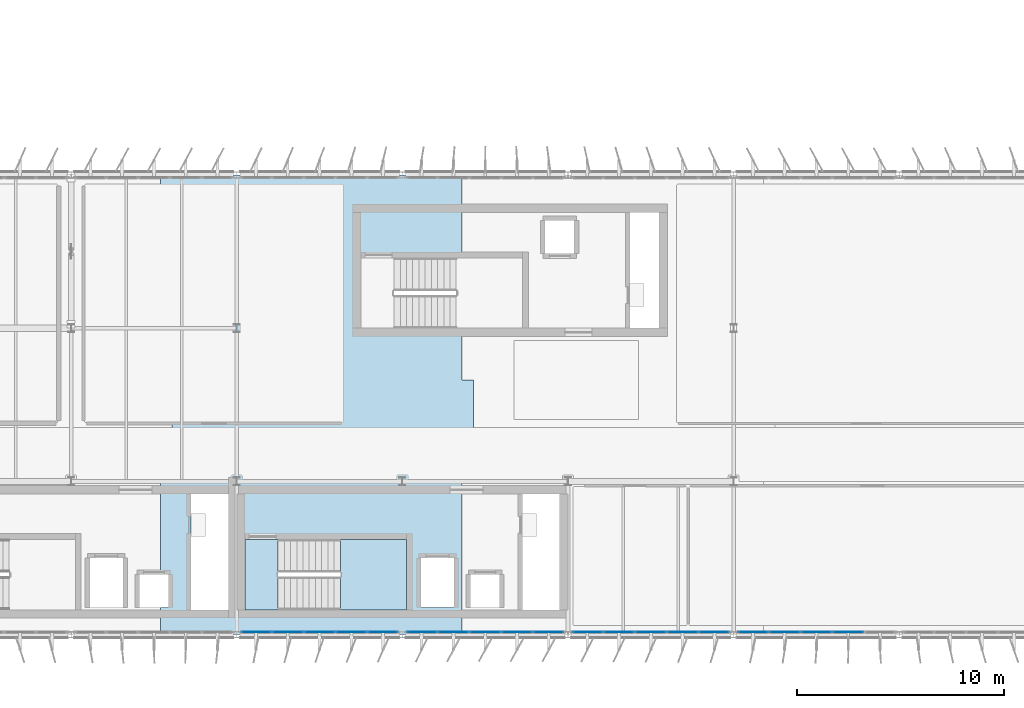
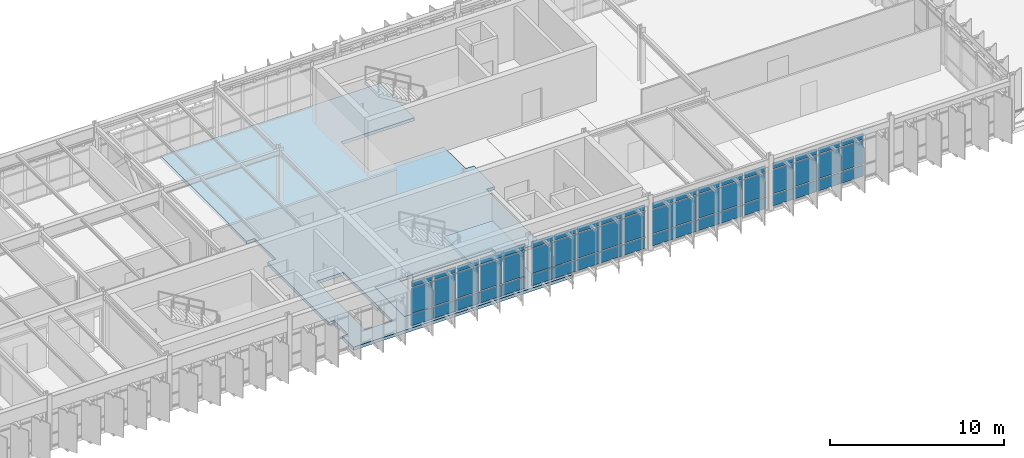
# One storey, part 21 of 35: 57 plates, 3 slabs, 5 elements without a shape of their own.
"""IFC4 building model written with IfcOpenShell, lengths in metres."""

from ifc_helpers import new_model, si_unit, direction, frame, origin, origin_2d, place, context, subcontext, project, spatial, polyline, rectangle, outline, extrude, material, layer, layer_set, type_object, element, aggregate, save


model = new_model("IFC4")

# Units and contexts
model_context = context("Model", 3, precision=1e-05, world=origin(), true_north=direction((0.0, 1.0)))
body_context = subcontext(model_context, "Body", "Model", "MODEL_VIEW")
ifc_project = project(units=[si_unit("LENGTHUNIT", "METRE"), si_unit("AREAUNIT", "SQUARE_METRE"), si_unit("VOLUMEUNIT", "CUBIC_METRE"), si_unit("PLANEANGLEUNIT", "RADIAN"), si_unit("MASSUNIT", "GRAM", prefix="KILO")], contexts=[model_context])

# Site, building, storey
site_placement = place(None, origin())
site = spatial("IfcSite", under=ifc_project, at=site_placement, CompositionType="ELEMENT")
building_placement = place(site_placement, origin())
building = spatial("IfcBuilding", under=site, at=building_placement, Name="Valkorina Park Police Headquarters", CompositionType="ELEMENT")
storey_placement = place(building_placement, frame((0.0, 0.0, 27.199951171875)))
storey = spatial("IfcBuildingStorey", under=building, at=storey_placement, Name="L07", CompositionType="ELEMENT", Elevation=27.199951171875)

# Curtain wall, plates
ifc_material_1 = material(Name="Thermally broken aluminium AW-6060", Category="aluminium")
ifc_layer_1 = layer(ifc_material_1, 0.18994140625)
ifc_layer_set_1 = layer_set([ifc_layer_1], Name="Thermally broken aluminium AW-6060")
curtain_wall_type_1 = type_object("IfcCurtainWallType", Name="CW-V5-7680x3160", PredefinedType="NOTDEFINED", material=ifc_layer_set_1)
curtain_wall_1_placement = place(storey_placement, origin())
curtain_wall_1 = element("IfcCurtainWall", 1, at=curtain_wall_1_placement, inside=storey, type_object=curtain_wall_type_1, Name="L07 Unitised Curtain Wall 134", PredefinedType="NOTDEFINED")
ifc_layer_2 = layer(ifc_material_1, 0.050048828125)
ifc_layer_set_2 = layer_set([ifc_layer_2], Name="Thermally broken aluminium AW-6060")
plate_type_1 = type_object("IfcPlateType", Name="PL-CWP-SPANDREL-50", PredefinedType="CURTAIN_PANEL", material=ifc_layer_set_2)
plate_1_placement = place(storey_placement, frame((62.3359375, 37.1201171875, 0.070068359375), z_axis=(0.0, 0.0, 1.0), x_axis=(-1.0, 0.0, 0.0)))
plate_1 = element("IfcPlate", 2, at=plate_1_placement, type_object=plate_type_1, Name="CW-V5-768-316 panel 2.1", PredefinedType="CURTAIN_PANEL", context=body_context, shape_type="SweptSolid", body=[
    extrude(rectangle(XDim=1.466064453125, YDim=0.028076171875, at=origin_2d()), origin(), (0.0, 0.0, 1.0), 0.794921875),
])
plate_2_placement = place(storey_placement, frame((60.800048828125, 37.1201171875, 0.070068359375), z_axis=(0.0, 0.0, 1.0), x_axis=(-1.0, 0.0, 0.0)))
plate_2 = element("IfcPlate", 3, at=plate_2_placement, type_object=plate_type_1, Name="CW-V5-768-316 panel 3.1", PredefinedType="CURTAIN_PANEL", context=body_context, shape_type="SweptSolid", body=[
    extrude(rectangle(XDim=1.466064453125, YDim=0.028076171875, at=origin_2d()), origin(), (0.0, 0.0, 1.0), 0.794921875),
])
plate_3_placement = place(storey_placement, frame((59.263916015625, 37.1201171875, 0.070068359375), z_axis=(0.0, 0.0, 1.0), x_axis=(-1.0, 0.0, 0.0)))
plate_3 = element("IfcPlate", 4, at=plate_3_placement, type_object=plate_type_1, Name="CW-V5-768-316 panel 4.1", PredefinedType="CURTAIN_PANEL", context=body_context, shape_type="SweptSolid", body=[
    extrude(rectangle(XDim=1.466064453125, YDim=0.028076171875, at=origin_2d()), origin(), (0.0, 0.0, 1.0), 0.794921875),
])
plate_4_placement = place(storey_placement, frame((57.74560546875, 37.1201171875, 0.070068359375), z_axis=(0.0, 0.0, 1.0), x_axis=(-1.0, 0.0, 0.0)))
plate_4 = element("IfcPlate", 5, at=plate_4_placement, type_object=plate_type_1, Name="CW-V5-768-316 panel 5.1", PredefinedType="CURTAIN_PANEL", context=body_context, shape_type="SweptSolid", body=[
    extrude(rectangle(XDim=1.430908203125, YDim=0.028076171875, at=origin_2d()), origin(), (0.0, 0.0, 1.0), 0.794921875),
])

curtain_wall_2_placement = place(storey_placement, origin())
curtain_wall_2 = element("IfcCurtainWall", 6, at=curtain_wall_2_placement, inside=storey, type_object=curtain_wall_type_1, Name="L07 Unitised Curtain Wall 135", PredefinedType="NOTDEFINED")
plate_5_placement = place(storey_placement, frame((55.8544921875, 37.1201171875, 0.070068359375), z_axis=(0.0, 0.0, 1.0), x_axis=(-1.0, 0.0, 0.0)))
plate_5 = element("IfcPlate", 7, at=plate_5_placement, type_object=plate_type_1, Name="CW-V5-768-316 panel 1.1", PredefinedType="CURTAIN_PANEL", context=body_context, shape_type="SweptSolid", body=[
    extrude(rectangle(XDim=1.430908203125, YDim=0.028076171875, at=origin_2d()), origin(), (0.0, 0.0, 1.0), 0.794921875),
])
plate_6_placement = place(storey_placement, frame((54.3359375, 37.1201171875, 0.070068359375), z_axis=(0.0, 0.0, 1.0), x_axis=(-1.0, 0.0, 0.0)))
plate_6 = element("IfcPlate", 8, at=plate_6_placement, type_object=plate_type_1, Name="CW-V5-768-316 panel 2.1", PredefinedType="CURTAIN_PANEL", context=body_context, shape_type="SweptSolid", body=[
    extrude(rectangle(XDim=1.466064453125, YDim=0.028076171875, at=origin_2d()), origin(), (0.0, 0.0, 1.0), 0.794921875),
])
plate_7_placement = place(storey_placement, frame((52.800048828125, 37.1201171875, 0.070068359375), z_axis=(0.0, 0.0, 1.0), x_axis=(-1.0, 0.0, 0.0)))
plate_7 = element("IfcPlate", 9, at=plate_7_placement, type_object=plate_type_1, Name="CW-V5-768-316 panel 3.1", PredefinedType="CURTAIN_PANEL", context=body_context, shape_type="SweptSolid", body=[
    extrude(rectangle(XDim=1.466064453125, YDim=0.028076171875, at=origin_2d()), origin(), (0.0, 0.0, 1.0), 0.794921875),
])
plate_8_placement = place(storey_placement, frame((51.263916015625, 37.1201171875, 0.070068359375), z_axis=(0.0, 0.0, 1.0), x_axis=(-1.0, 0.0, 0.0)))
plate_8 = element("IfcPlate", 10, at=plate_8_placement, type_object=plate_type_1, Name="CW-V5-768-316 panel 4.1", PredefinedType="CURTAIN_PANEL", context=body_context, shape_type="SweptSolid", body=[
    extrude(rectangle(XDim=1.466064453125, YDim=0.028076171875, at=origin_2d()), origin(), (0.0, 0.0, 1.0), 0.794921875),
])
plate_9_placement = place(storey_placement, frame((49.74560546875, 37.1201171875, 0.070068359375), z_axis=(0.0, 0.0, 1.0), x_axis=(-1.0, 0.0, 0.0)))
plate_9 = element("IfcPlate", 11, at=plate_9_placement, type_object=plate_type_1, Name="CW-V5-768-316 panel 5.1", PredefinedType="CURTAIN_PANEL", context=body_context, shape_type="SweptSolid", body=[
    extrude(rectangle(XDim=1.430908203125, YDim=0.028076171875, at=origin_2d()), origin(), (0.0, 0.0, 1.0), 0.794921875),
])

ifc_layer_3 = layer(ifc_material_1, 0.18994140625)
ifc_layer_set_3 = layer_set([ifc_layer_3], Name="Thermally broken aluminium AW-6060")
curtain_wall_type_2 = type_object("IfcCurtainWallType", Name="CW-V5-7680x3230", PredefinedType="NOTDEFINED", material=ifc_layer_set_3)
curtain_wall_3_placement = place(storey_placement, origin())
curtain_wall_3 = element("IfcCurtainWall", 12, at=curtain_wall_3_placement, inside=storey, type_object=curtain_wall_type_2, Name="L07 Unitised Curtain Wall 136", PredefinedType="NOTDEFINED")
plate_10_placement = place(storey_placement, frame((47.8544921875, 37.1201171875, 0.070068359375), z_axis=(0.0, 0.0, 1.0), x_axis=(-1.0, 0.0, 0.0)))
plate_10 = element("IfcPlate", 13, at=plate_10_placement, type_object=plate_type_1, Name="CW-V5-768-323 panel 1.1", PredefinedType="CURTAIN_PANEL", context=body_context, shape_type="SweptSolid", body=[
    extrude(rectangle(XDim=1.430908203125, YDim=0.028076171875, at=origin_2d()), origin(), (0.0, 0.0, 1.0), 0.794921875),
])
plate_11_placement = place(storey_placement, frame((46.3359375, 37.1201171875, 0.070068359375), z_axis=(0.0, 0.0, 1.0), x_axis=(-1.0, 0.0, 0.0)))
plate_11 = element("IfcPlate", 14, at=plate_11_placement, type_object=plate_type_1, Name="CW-V5-768-323 panel 2.1", PredefinedType="CURTAIN_PANEL", context=body_context, shape_type="SweptSolid", body=[
    extrude(rectangle(XDim=1.466064453125, YDim=0.028076171875, at=origin_2d()), origin(), (0.0, 0.0, 1.0), 0.794921875),
])
plate_12_placement = place(storey_placement, frame((44.800048828125, 37.1201171875, 0.070068359375), z_axis=(0.0, 0.0, 1.0), x_axis=(-1.0, 0.0, 0.0)))
plate_12 = element("IfcPlate", 15, at=plate_12_placement, type_object=plate_type_1, Name="CW-V5-768-323 panel 3.1", PredefinedType="CURTAIN_PANEL", context=body_context, shape_type="SweptSolid", body=[
    extrude(rectangle(XDim=1.466064453125, YDim=0.028076171875, at=origin_2d()), origin(), (0.0, 0.0, 1.0), 0.794921875),
])
plate_13_placement = place(storey_placement, frame((43.263916015625, 37.1201171875, 0.070068359375), z_axis=(0.0, 0.0, 1.0), x_axis=(-1.0, 0.0, 0.0)))
plate_13 = element("IfcPlate", 16, at=plate_13_placement, type_object=plate_type_1, Name="CW-V5-768-323 panel 4.1", PredefinedType="CURTAIN_PANEL", context=body_context, shape_type="SweptSolid", body=[
    extrude(rectangle(XDim=1.466064453125, YDim=0.028076171875, at=origin_2d()), origin(), (0.0, 0.0, 1.0), 0.794921875),
])
plate_14_placement = place(storey_placement, frame((41.74560546875, 37.1201171875, 0.070068359375), z_axis=(0.0, 0.0, 1.0), x_axis=(-1.0, 0.0, 0.0)))
plate_14 = element("IfcPlate", 17, at=plate_14_placement, type_object=plate_type_1, Name="CW-V5-768-323 panel 5.1", PredefinedType="CURTAIN_PANEL", context=body_context, shape_type="SweptSolid", body=[
    extrude(rectangle(XDim=1.430908203125, YDim=0.028076171875, at=origin_2d()), origin(), (0.0, 0.0, 1.0), 0.794921875),
])

ifc_layer_4 = layer(ifc_material_1, 0.18994140625)
ifc_layer_set_4 = layer_set([ifc_layer_4], Name="Thermally broken aluminium AW-6060")
curtain_wall_type_3 = type_object("IfcCurtainWallType", Name="CW-V5-7680x3270", PredefinedType="NOTDEFINED", material=ifc_layer_set_4)
curtain_wall_4_placement = place(storey_placement, origin())
curtain_wall_4 = element("IfcCurtainWall", 18, at=curtain_wall_4_placement, inside=storey, type_object=curtain_wall_type_3, Name="L07 Unitised Curtain Wall 137", PredefinedType="NOTDEFINED")
plate_15_placement = place(storey_placement, frame((39.8544921875, 37.1201171875, 0.070068359375), z_axis=(0.0, 0.0, 1.0), x_axis=(-1.0, 0.0, 0.0)))
plate_15 = element("IfcPlate", 19, at=plate_15_placement, type_object=plate_type_1, Name="CW-V5-768-327 panel 1.1", PredefinedType="CURTAIN_PANEL", context=body_context, shape_type="SweptSolid", body=[
    extrude(rectangle(XDim=1.430908203125, YDim=0.028076171875, at=origin_2d()), origin(), (0.0, 0.0, 1.0), 0.794921875),
])
plate_16_placement = place(storey_placement, frame((38.3359375, 37.1201171875, 0.070068359375), z_axis=(0.0, 0.0, 1.0), x_axis=(-1.0, 0.0, 0.0)))
plate_16 = element("IfcPlate", 20, at=plate_16_placement, type_object=plate_type_1, Name="CW-V5-768-327 panel 2.1", PredefinedType="CURTAIN_PANEL", context=body_context, shape_type="SweptSolid", body=[
    extrude(rectangle(XDim=1.466064453125, YDim=0.028076171875, at=origin_2d()), origin(), (0.0, 0.0, 1.0), 0.794921875),
])
plate_17_placement = place(storey_placement, frame((36.800048828125, 37.1201171875, 0.070068359375), z_axis=(0.0, 0.0, 1.0), x_axis=(-1.0, 0.0, 0.0)))
plate_17 = element("IfcPlate", 21, at=plate_17_placement, type_object=plate_type_1, Name="CW-V5-768-327 panel 3.1", PredefinedType="CURTAIN_PANEL", context=body_context, shape_type="SweptSolid", body=[
    extrude(rectangle(XDim=1.466064453125, YDim=0.028076171875, at=origin_2d()), origin(), (0.0, 0.0, 1.0), 0.794921875),
])
plate_18_placement = place(storey_placement, frame((35.263916015625, 37.1201171875, 0.070068359375), z_axis=(0.0, 0.0, 1.0), x_axis=(-1.0, 0.0, 0.0)))
plate_18 = element("IfcPlate", 22, at=plate_18_placement, type_object=plate_type_1, Name="CW-V5-768-327 panel 4.1", PredefinedType="CURTAIN_PANEL", context=body_context, shape_type="SweptSolid", body=[
    extrude(rectangle(XDim=1.466064453125, YDim=0.028076171875, at=origin_2d()), origin(), (0.0, 0.0, 1.0), 0.794921875),
])
plate_19_placement = place(storey_placement, frame((33.74560546875, 37.1201171875, 0.070068359375), z_axis=(0.0, 0.0, 1.0), x_axis=(-1.0, 0.0, 0.0)))
plate_19 = element("IfcPlate", 23, at=plate_19_placement, type_object=plate_type_1, Name="CW-V5-768-327 panel 5.1", PredefinedType="CURTAIN_PANEL", context=body_context, shape_type="SweptSolid", body=[
    extrude(rectangle(XDim=1.430908203125, YDim=0.028076171875, at=origin_2d()), origin(), (0.0, 0.0, 1.0), 0.794921875),
])

# Plate
ifc_material_2 = material(Name="Triple low-E insulated glazing", Category="glass")
ifc_layer_5 = layer(ifc_material_2, 0.028076171875)
ifc_layer_set_5 = layer_set([ifc_layer_5], Name="Triple low-E insulated glazing")
plate_type_2 = type_object("IfcPlateType", Name="PL-CWP-VISION-28", PredefinedType="CURTAIN_PANEL", material=ifc_layer_set_5)
plate_20_placement = place(storey_placement, frame((62.3359375, 37.1201171875, 0.93505859375), z_axis=(0.0, 0.0, 1.0), x_axis=(-1.0, 0.0, 0.0)))
plate_20 = element("IfcPlate", 24, at=plate_20_placement, type_object=plate_type_2, Name="CW-V5-768-316 panel 2.2", PredefinedType="CURTAIN_PANEL", context=body_context, shape_type="SweptSolid", body=[
    extrude(rectangle(XDim=1.466064453125, YDim=0.028076171875, at=origin_2d()), origin(), (0.0, 0.0, 1.0), 1.669921875),
])

plate_21_placement = place(storey_placement, frame((62.3359375, 37.1201171875, 2.675048828125), z_axis=(0.0, 0.0, 1.0), x_axis=(-1.0, 0.0, 0.0)))
plate_21 = element("IfcPlate", 25, at=plate_21_placement, type_object=plate_type_2, Name="CW-V5-768-316 panel 2.3", PredefinedType="CURTAIN_PANEL", context=body_context, shape_type="SweptSolid", body=[
    extrude(rectangle(XDim=1.466064453125, YDim=0.028076171875, at=origin_2d()), origin(), (0.0, 0.0, 1.0), 0.4150390625),
])

plate_22_placement = place(storey_placement, frame((60.800048828125, 37.1201171875, 0.93505859375), z_axis=(0.0, 0.0, 1.0), x_axis=(-1.0, 0.0, 0.0)))
plate_22 = element("IfcPlate", 26, at=plate_22_placement, type_object=plate_type_2, Name="CW-V5-768-316 panel 3.2", PredefinedType="CURTAIN_PANEL", context=body_context, shape_type="SweptSolid", body=[
    extrude(rectangle(XDim=1.466064453125, YDim=0.028076171875, at=origin_2d()), origin(), (0.0, 0.0, 1.0), 1.669921875),
])

plate_23_placement = place(storey_placement, frame((60.800048828125, 37.1201171875, 2.675048828125), z_axis=(0.0, 0.0, 1.0), x_axis=(-1.0, 0.0, 0.0)))
plate_23 = element("IfcPlate", 27, at=plate_23_placement, type_object=plate_type_2, Name="CW-V5-768-316 panel 3.3", PredefinedType="CURTAIN_PANEL", context=body_context, shape_type="SweptSolid", body=[
    extrude(rectangle(XDim=1.466064453125, YDim=0.028076171875, at=origin_2d()), origin(), (0.0, 0.0, 1.0), 0.4150390625),
])

plate_24_placement = place(storey_placement, frame((59.263916015625, 37.1201171875, 0.93505859375), z_axis=(0.0, 0.0, 1.0), x_axis=(-1.0, 0.0, 0.0)))
plate_24 = element("IfcPlate", 28, at=plate_24_placement, type_object=plate_type_2, Name="CW-V5-768-316 panel 4.2", PredefinedType="CURTAIN_PANEL", context=body_context, shape_type="SweptSolid", body=[
    extrude(rectangle(XDim=1.466064453125, YDim=0.028076171875, at=origin_2d()), origin(), (0.0, 0.0, 1.0), 1.669921875),
])

plate_25_placement = place(storey_placement, frame((59.263916015625, 37.1201171875, 2.675048828125), z_axis=(0.0, 0.0, 1.0), x_axis=(-1.0, 0.0, 0.0)))
plate_25 = element("IfcPlate", 29, at=plate_25_placement, type_object=plate_type_2, Name="CW-V5-768-316 panel 4.3", PredefinedType="CURTAIN_PANEL", context=body_context, shape_type="SweptSolid", body=[
    extrude(rectangle(XDim=1.466064453125, YDim=0.028076171875, at=origin_2d()), origin(), (0.0, 0.0, 1.0), 0.4150390625),
])

plate_26_placement = place(storey_placement, frame((57.74560546875, 37.1201171875, 0.93505859375), z_axis=(0.0, 0.0, 1.0), x_axis=(-1.0, 0.0, 0.0)))
plate_26 = element("IfcPlate", 30, at=plate_26_placement, type_object=plate_type_2, Name="CW-V5-768-316 panel 5.2", PredefinedType="CURTAIN_PANEL", context=body_context, shape_type="SweptSolid", body=[
    extrude(rectangle(XDim=1.430908203125, YDim=0.028076171875, at=origin_2d()), origin(), (0.0, 0.0, 1.0), 1.669921875),
])

plate_27_placement = place(storey_placement, frame((57.74560546875, 37.1201171875, 2.675048828125), z_axis=(0.0, 0.0, 1.0), x_axis=(-1.0, 0.0, 0.0)))
plate_27 = element("IfcPlate", 31, at=plate_27_placement, type_object=plate_type_2, Name="CW-V5-768-316 panel 5.3", PredefinedType="CURTAIN_PANEL", context=body_context, shape_type="SweptSolid", body=[
    extrude(rectangle(XDim=1.430908203125, YDim=0.028076171875, at=origin_2d()), origin(), (0.0, 0.0, 1.0), 0.4150390625),
])

aggregate(curtain_wall_1, [plate_1, plate_20, plate_21, plate_2, plate_22, plate_23, plate_3, plate_24, plate_25, plate_4, plate_26, plate_27])

plate_28_placement = place(storey_placement, frame((55.8544921875, 37.1201171875, 0.93505859375), z_axis=(0.0, 0.0, 1.0), x_axis=(-1.0, 0.0, 0.0)))
plate_28 = element("IfcPlate", 32, at=plate_28_placement, type_object=plate_type_2, Name="CW-V5-768-316 panel 1.2", PredefinedType="CURTAIN_PANEL", context=body_context, shape_type="SweptSolid", body=[
    extrude(rectangle(XDim=1.430908203125, YDim=0.028076171875, at=origin_2d()), origin(), (0.0, 0.0, 1.0), 1.669921875),
])

plate_29_placement = place(storey_placement, frame((55.8544921875, 37.1201171875, 2.675048828125), z_axis=(0.0, 0.0, 1.0), x_axis=(-1.0, 0.0, 0.0)))
plate_29 = element("IfcPlate", 33, at=plate_29_placement, type_object=plate_type_2, Name="CW-V5-768-316 panel 1.3", PredefinedType="CURTAIN_PANEL", context=body_context, shape_type="SweptSolid", body=[
    extrude(rectangle(XDim=1.430908203125, YDim=0.028076171875, at=origin_2d()), origin(), (0.0, 0.0, 1.0), 0.4150390625),
])

plate_30_placement = place(storey_placement, frame((54.3359375, 37.1201171875, 0.93505859375), z_axis=(0.0, 0.0, 1.0), x_axis=(-1.0, 0.0, 0.0)))
plate_30 = element("IfcPlate", 34, at=plate_30_placement, type_object=plate_type_2, Name="CW-V5-768-316 panel 2.2", PredefinedType="CURTAIN_PANEL", context=body_context, shape_type="SweptSolid", body=[
    extrude(rectangle(XDim=1.466064453125, YDim=0.028076171875, at=origin_2d()), origin(), (0.0, 0.0, 1.0), 1.669921875),
])

plate_31_placement = place(storey_placement, frame((54.3359375, 37.1201171875, 2.675048828125), z_axis=(0.0, 0.0, 1.0), x_axis=(-1.0, 0.0, 0.0)))
plate_31 = element("IfcPlate", 35, at=plate_31_placement, type_object=plate_type_2, Name="CW-V5-768-316 panel 2.3", PredefinedType="CURTAIN_PANEL", context=body_context, shape_type="SweptSolid", body=[
    extrude(rectangle(XDim=1.466064453125, YDim=0.028076171875, at=origin_2d()), origin(), (0.0, 0.0, 1.0), 0.4150390625),
])

plate_32_placement = place(storey_placement, frame((52.800048828125, 37.1201171875, 0.93505859375), z_axis=(0.0, 0.0, 1.0), x_axis=(-1.0, 0.0, 0.0)))
plate_32 = element("IfcPlate", 36, at=plate_32_placement, type_object=plate_type_2, Name="CW-V5-768-316 panel 3.2", PredefinedType="CURTAIN_PANEL", context=body_context, shape_type="SweptSolid", body=[
    extrude(rectangle(XDim=1.466064453125, YDim=0.028076171875, at=origin_2d()), origin(), (0.0, 0.0, 1.0), 1.669921875),
])

plate_33_placement = place(storey_placement, frame((52.800048828125, 37.1201171875, 2.675048828125), z_axis=(0.0, 0.0, 1.0), x_axis=(-1.0, 0.0, 0.0)))
plate_33 = element("IfcPlate", 37, at=plate_33_placement, type_object=plate_type_2, Name="CW-V5-768-316 panel 3.3", PredefinedType="CURTAIN_PANEL", context=body_context, shape_type="SweptSolid", body=[
    extrude(rectangle(XDim=1.466064453125, YDim=0.028076171875, at=origin_2d()), origin(), (0.0, 0.0, 1.0), 0.4150390625),
])

plate_34_placement = place(storey_placement, frame((51.263916015625, 37.1201171875, 0.93505859375), z_axis=(0.0, 0.0, 1.0), x_axis=(-1.0, 0.0, 0.0)))
plate_34 = element("IfcPlate", 38, at=plate_34_placement, type_object=plate_type_2, Name="CW-V5-768-316 panel 4.2", PredefinedType="CURTAIN_PANEL", context=body_context, shape_type="SweptSolid", body=[
    extrude(rectangle(XDim=1.466064453125, YDim=0.028076171875, at=origin_2d()), origin(), (0.0, 0.0, 1.0), 1.669921875),
])

plate_35_placement = place(storey_placement, frame((51.263916015625, 37.1201171875, 2.675048828125), z_axis=(0.0, 0.0, 1.0), x_axis=(-1.0, 0.0, 0.0)))
plate_35 = element("IfcPlate", 39, at=plate_35_placement, type_object=plate_type_2, Name="CW-V5-768-316 panel 4.3", PredefinedType="CURTAIN_PANEL", context=body_context, shape_type="SweptSolid", body=[
    extrude(rectangle(XDim=1.466064453125, YDim=0.028076171875, at=origin_2d()), origin(), (0.0, 0.0, 1.0), 0.4150390625),
])

plate_36_placement = place(storey_placement, frame((49.74560546875, 37.1201171875, 0.93505859375), z_axis=(0.0, 0.0, 1.0), x_axis=(-1.0, 0.0, 0.0)))
plate_36 = element("IfcPlate", 40, at=plate_36_placement, type_object=plate_type_2, Name="CW-V5-768-316 panel 5.2", PredefinedType="CURTAIN_PANEL", context=body_context, shape_type="SweptSolid", body=[
    extrude(rectangle(XDim=1.430908203125, YDim=0.028076171875, at=origin_2d()), origin(), (0.0, 0.0, 1.0), 1.669921875),
])

plate_37_placement = place(storey_placement, frame((49.74560546875, 37.1201171875, 2.675048828125), z_axis=(0.0, 0.0, 1.0), x_axis=(-1.0, 0.0, 0.0)))
plate_37 = element("IfcPlate", 41, at=plate_37_placement, type_object=plate_type_2, Name="CW-V5-768-316 panel 5.3", PredefinedType="CURTAIN_PANEL", context=body_context, shape_type="SweptSolid", body=[
    extrude(rectangle(XDim=1.430908203125, YDim=0.028076171875, at=origin_2d()), origin(), (0.0, 0.0, 1.0), 0.4150390625),
])

aggregate(curtain_wall_2, [plate_5, plate_28, plate_29, plate_6, plate_30, plate_31, plate_7, plate_32, plate_33, plate_8, plate_34, plate_35, plate_9, plate_36, plate_37])

plate_38_placement = place(storey_placement, frame((47.8544921875, 37.1201171875, 0.93505859375), z_axis=(0.0, 0.0, 1.0), x_axis=(-1.0, 0.0, 0.0)))
plate_38 = element("IfcPlate", 42, at=plate_38_placement, type_object=plate_type_2, Name="CW-V5-768-323 panel 1.2", PredefinedType="CURTAIN_PANEL", context=body_context, shape_type="SweptSolid", body=[
    extrude(rectangle(XDim=1.430908203125, YDim=0.028076171875, at=origin_2d()), origin(), (0.0, 0.0, 1.0), 1.739990234375),
])

plate_39_placement = place(storey_placement, frame((47.8544921875, 37.1201171875, 2.7451171875), z_axis=(0.0, 0.0, 1.0), x_axis=(-1.0, 0.0, 0.0)))
plate_39 = element("IfcPlate", 43, at=plate_39_placement, type_object=plate_type_2, Name="CW-V5-768-323 panel 1.3", PredefinedType="CURTAIN_PANEL", context=body_context, shape_type="SweptSolid", body=[
    extrude(rectangle(XDim=1.430908203125, YDim=0.028076171875, at=origin_2d()), origin(), (0.0, 0.0, 1.0), 0.4150390625),
])

plate_40_placement = place(storey_placement, frame((46.3359375, 37.1201171875, 0.93505859375), z_axis=(0.0, 0.0, 1.0), x_axis=(-1.0, 0.0, 0.0)))
plate_40 = element("IfcPlate", 44, at=plate_40_placement, type_object=plate_type_2, Name="CW-V5-768-323 panel 2.2", PredefinedType="CURTAIN_PANEL", context=body_context, shape_type="SweptSolid", body=[
    extrude(rectangle(XDim=1.466064453125, YDim=0.028076171875, at=origin_2d()), origin(), (0.0, 0.0, 1.0), 1.739990234375),
])

plate_41_placement = place(storey_placement, frame((46.3359375, 37.1201171875, 2.7451171875), z_axis=(0.0, 0.0, 1.0), x_axis=(-1.0, 0.0, 0.0)))
plate_41 = element("IfcPlate", 45, at=plate_41_placement, type_object=plate_type_2, Name="CW-V5-768-323 panel 2.3", PredefinedType="CURTAIN_PANEL", context=body_context, shape_type="SweptSolid", body=[
    extrude(rectangle(XDim=1.466064453125, YDim=0.028076171875, at=origin_2d()), origin(), (0.0, 0.0, 1.0), 0.4150390625),
])

plate_42_placement = place(storey_placement, frame((44.800048828125, 37.1201171875, 0.93505859375), z_axis=(0.0, 0.0, 1.0), x_axis=(-1.0, 0.0, 0.0)))
plate_42 = element("IfcPlate", 46, at=plate_42_placement, type_object=plate_type_2, Name="CW-V5-768-323 panel 3.2", PredefinedType="CURTAIN_PANEL", context=body_context, shape_type="SweptSolid", body=[
    extrude(rectangle(XDim=1.466064453125, YDim=0.028076171875, at=origin_2d()), origin(), (0.0, 0.0, 1.0), 1.739990234375),
])

plate_43_placement = place(storey_placement, frame((44.800048828125, 37.1201171875, 2.7451171875), z_axis=(0.0, 0.0, 1.0), x_axis=(-1.0, 0.0, 0.0)))
plate_43 = element("IfcPlate", 47, at=plate_43_placement, type_object=plate_type_2, Name="CW-V5-768-323 panel 3.3", PredefinedType="CURTAIN_PANEL", context=body_context, shape_type="SweptSolid", body=[
    extrude(rectangle(XDim=1.466064453125, YDim=0.028076171875, at=origin_2d()), origin(), (0.0, 0.0, 1.0), 0.4150390625),
])

plate_44_placement = place(storey_placement, frame((43.263916015625, 37.1201171875, 0.93505859375), z_axis=(0.0, 0.0, 1.0), x_axis=(-1.0, 0.0, 0.0)))
plate_44 = element("IfcPlate", 48, at=plate_44_placement, type_object=plate_type_2, Name="CW-V5-768-323 panel 4.2", PredefinedType="CURTAIN_PANEL", context=body_context, shape_type="SweptSolid", body=[
    extrude(rectangle(XDim=1.466064453125, YDim=0.028076171875, at=origin_2d()), origin(), (0.0, 0.0, 1.0), 1.739990234375),
])

plate_45_placement = place(storey_placement, frame((43.263916015625, 37.1201171875, 2.7451171875), z_axis=(0.0, 0.0, 1.0), x_axis=(-1.0, 0.0, 0.0)))
plate_45 = element("IfcPlate", 49, at=plate_45_placement, type_object=plate_type_2, Name="CW-V5-768-323 panel 4.3", PredefinedType="CURTAIN_PANEL", context=body_context, shape_type="SweptSolid", body=[
    extrude(rectangle(XDim=1.466064453125, YDim=0.028076171875, at=origin_2d()), origin(), (0.0, 0.0, 1.0), 0.4150390625),
])

plate_46_placement = place(storey_placement, frame((41.74560546875, 37.1201171875, 0.93505859375), z_axis=(0.0, 0.0, 1.0), x_axis=(-1.0, 0.0, 0.0)))
plate_46 = element("IfcPlate", 50, at=plate_46_placement, type_object=plate_type_2, Name="CW-V5-768-323 panel 5.2", PredefinedType="CURTAIN_PANEL", context=body_context, shape_type="SweptSolid", body=[
    extrude(rectangle(XDim=1.430908203125, YDim=0.028076171875, at=origin_2d()), origin(), (0.0, 0.0, 1.0), 1.739990234375),
])

plate_47_placement = place(storey_placement, frame((41.74560546875, 37.1201171875, 2.7451171875), z_axis=(0.0, 0.0, 1.0), x_axis=(-1.0, 0.0, 0.0)))
plate_47 = element("IfcPlate", 51, at=plate_47_placement, type_object=plate_type_2, Name="CW-V5-768-323 panel 5.3", PredefinedType="CURTAIN_PANEL", context=body_context, shape_type="SweptSolid", body=[
    extrude(rectangle(XDim=1.430908203125, YDim=0.028076171875, at=origin_2d()), origin(), (0.0, 0.0, 1.0), 0.4150390625),
])

aggregate(curtain_wall_3, [plate_10, plate_38, plate_39, plate_11, plate_40, plate_41, plate_12, plate_42, plate_43, plate_13, plate_44, plate_45, plate_14, plate_46, plate_47])

plate_48_placement = place(storey_placement, frame((39.8544921875, 37.1201171875, 0.93505859375), z_axis=(0.0, 0.0, 1.0), x_axis=(-1.0, 0.0, 0.0)))
plate_48 = element("IfcPlate", 52, at=plate_48_placement, type_object=plate_type_2, Name="CW-V5-768-327 panel 1.2", PredefinedType="CURTAIN_PANEL", context=body_context, shape_type="SweptSolid", body=[
    extrude(rectangle(XDim=1.430908203125, YDim=0.028076171875, at=origin_2d()), origin(), (0.0, 0.0, 1.0), 1.780029296875),
])

plate_49_placement = place(storey_placement, frame((39.8544921875, 37.1201171875, 2.784912109375), z_axis=(0.0, 0.0, 1.0), x_axis=(-1.0, 0.0, 0.0)))
plate_49 = element("IfcPlate", 53, at=plate_49_placement, type_object=plate_type_2, Name="CW-V5-768-327 panel 1.3", PredefinedType="CURTAIN_PANEL", context=body_context, shape_type="SweptSolid", body=[
    extrude(rectangle(XDim=1.430908203125, YDim=0.028076171875, at=origin_2d()), origin(), (0.0, 0.0, 1.0), 0.4150390625),
])

plate_50_placement = place(storey_placement, frame((38.3359375, 37.1201171875, 0.93505859375), z_axis=(0.0, 0.0, 1.0), x_axis=(-1.0, 0.0, 0.0)))
plate_50 = element("IfcPlate", 54, at=plate_50_placement, type_object=plate_type_2, Name="CW-V5-768-327 panel 2.2", PredefinedType="CURTAIN_PANEL", context=body_context, shape_type="SweptSolid", body=[
    extrude(rectangle(XDim=1.466064453125, YDim=0.028076171875, at=origin_2d()), origin(), (0.0, 0.0, 1.0), 1.780029296875),
])

plate_51_placement = place(storey_placement, frame((38.3359375, 37.1201171875, 2.784912109375), z_axis=(0.0, 0.0, 1.0), x_axis=(-1.0, 0.0, 0.0)))
plate_51 = element("IfcPlate", 55, at=plate_51_placement, type_object=plate_type_2, Name="CW-V5-768-327 panel 2.3", PredefinedType="CURTAIN_PANEL", context=body_context, shape_type="SweptSolid", body=[
    extrude(rectangle(XDim=1.466064453125, YDim=0.028076171875, at=origin_2d()), origin(), (0.0, 0.0, 1.0), 0.4150390625),
])

plate_52_placement = place(storey_placement, frame((36.800048828125, 37.1201171875, 0.93505859375), z_axis=(0.0, 0.0, 1.0), x_axis=(-1.0, 0.0, 0.0)))
plate_52 = element("IfcPlate", 56, at=plate_52_placement, type_object=plate_type_2, Name="CW-V5-768-327 panel 3.2", PredefinedType="CURTAIN_PANEL", context=body_context, shape_type="SweptSolid", body=[
    extrude(rectangle(XDim=1.466064453125, YDim=0.028076171875, at=origin_2d()), origin(), (0.0, 0.0, 1.0), 1.780029296875),
])

plate_53_placement = place(storey_placement, frame((36.800048828125, 37.1201171875, 2.784912109375), z_axis=(0.0, 0.0, 1.0), x_axis=(-1.0, 0.0, 0.0)))
plate_53 = element("IfcPlate", 57, at=plate_53_placement, type_object=plate_type_2, Name="CW-V5-768-327 panel 3.3", PredefinedType="CURTAIN_PANEL", context=body_context, shape_type="SweptSolid", body=[
    extrude(rectangle(XDim=1.466064453125, YDim=0.028076171875, at=origin_2d()), origin(), (0.0, 0.0, 1.0), 0.4150390625),
])

plate_54_placement = place(storey_placement, frame((35.263916015625, 37.1201171875, 0.93505859375), z_axis=(0.0, 0.0, 1.0), x_axis=(-1.0, 0.0, 0.0)))
plate_54 = element("IfcPlate", 58, at=plate_54_placement, type_object=plate_type_2, Name="CW-V5-768-327 panel 4.2", PredefinedType="CURTAIN_PANEL", context=body_context, shape_type="SweptSolid", body=[
    extrude(rectangle(XDim=1.466064453125, YDim=0.028076171875, at=origin_2d()), origin(), (0.0, 0.0, 1.0), 1.780029296875),
])

plate_55_placement = place(storey_placement, frame((35.263916015625, 37.1201171875, 2.784912109375), z_axis=(0.0, 0.0, 1.0), x_axis=(-1.0, 0.0, 0.0)))
plate_55 = element("IfcPlate", 59, at=plate_55_placement, type_object=plate_type_2, Name="CW-V5-768-327 panel 4.3", PredefinedType="CURTAIN_PANEL", context=body_context, shape_type="SweptSolid", body=[
    extrude(rectangle(XDim=1.466064453125, YDim=0.028076171875, at=origin_2d()), origin(), (0.0, 0.0, 1.0), 0.4150390625),
])

plate_56_placement = place(storey_placement, frame((33.74560546875, 37.1201171875, 0.93505859375), z_axis=(0.0, 0.0, 1.0), x_axis=(-1.0, 0.0, 0.0)))
plate_56 = element("IfcPlate", 60, at=plate_56_placement, type_object=plate_type_2, Name="CW-V5-768-327 panel 5.2", PredefinedType="CURTAIN_PANEL", context=body_context, shape_type="SweptSolid", body=[
    extrude(rectangle(XDim=1.430908203125, YDim=0.028076171875, at=origin_2d()), origin(), (0.0, 0.0, 1.0), 1.780029296875),
])

plate_57_placement = place(storey_placement, frame((33.74560546875, 37.1201171875, 2.784912109375), z_axis=(0.0, 0.0, 1.0), x_axis=(-1.0, 0.0, 0.0)))
plate_57 = element("IfcPlate", 61, at=plate_57_placement, type_object=plate_type_2, Name="CW-V5-768-327 panel 5.3", PredefinedType="CURTAIN_PANEL", context=body_context, shape_type="SweptSolid", body=[
    extrude(rectangle(XDim=1.430908203125, YDim=0.028076171875, at=origin_2d()), origin(), (0.0, 0.0, 1.0), 0.4150390625),
])

aggregate(curtain_wall_4, [plate_15, plate_48, plate_49, plate_16, plate_50, plate_51, plate_17, plate_52, plate_53, plate_18, plate_54, plate_55, plate_19, plate_56, plate_57])

# Slab
ifc_material_3 = material(Name="Concrete C35/45", Category="concrete")
ifc_layer_6 = layer(ifc_material_3, 0.219970703125)
ifc_layer_set_6 = layer_set([ifc_layer_6], Name="Concrete C35/45")
slab_type_1 = type_object("IfcSlabType", Name="SL-COMP-OFF-150", PredefinedType="FLOOR", material=ifc_layer_set_6)
slab_1_placement = place(storey_placement, frame((0.0, 0.0, -0.219970703125)))
element("IfcSlab", 62, at=slab_1_placement, inside=storey, type_object=slab_type_1, Name="L07 Structural Floor Slab 108", PredefinedType="FLOOR", context=body_context, shape_type="SweptSolid", body=[
    extrude(outline(polyline([(44.22998046875, 49.2958984375), (43.679931640625, 49.2958984375), (43.679931640625, 51.800048828125), (38.800048828125, 51.800048828125), (38.800048828125, 55.199951171875), (43.679931640625, 55.199951171875), (43.679931640625, 59.19189453125), (29.1201171875, 59.19189453125), (29.1201171875, 49.2958984375), (29.669921875, 49.2958984375), (29.669921875, 46.89599609375), (29.1201171875, 46.89599609375), (29.1201171875, 39.89990234375), (29.5, 39.89990234375), (29.5, 38.300048828125), (29.1201171875, 38.300048828125), (29.1201171875, 37.0), (43.679931640625, 37.0), (43.679931640625, 46.89599609375), (44.22998046875, 46.89599609375), (44.22998046875, 49.2958984375)]), holes=[polyline([(43.300048828125, 40.699951171875), (43.300048828125, 38.300048828125), (41.699951171875, 38.300048828125), (41.699951171875, 40.699951171875), (43.300048828125, 40.699951171875)]), polyline([(33.199951171875, 38.199951171875), (33.199951171875, 41.60009765625), (41.0, 41.60009765625), (41.0, 38.199951171875), (33.199951171875, 38.199951171875)]), polyline([(32.39990234375, 43.800048828125), (32.39990234375, 38.199951171875), (30.60009765625, 38.199951171875), (30.60009765625, 43.800048828125), (32.39990234375, 43.800048828125)])]), origin(), (0.0, 0.0, 1.0), 0.219970703125),
])

# Stair, slab
stair_type = type_object("IfcStairType", Name="ST-DOGLEG-160-39", PredefinedType="HALF_TURN_STAIR", material=ifc_material_3)
stair_placement = place(storey_placement, origin())
stair = element("IfcStair", 63, at=stair_placement, inside=storey, type_object=stair_type, Name="L07 Core C2 Protected Stair (ST-07)", PredefinedType="HALF_TURN_STAIR")
ifc_layer_7 = layer(ifc_material_3, 0.22998046875)
ifc_layer_set_7 = layer_set([ifc_layer_7], Name="Concrete C35/45")
slab_type_2 = type_object("IfcSlabType", Name="SL-LANDING-230", PredefinedType="LANDING", material=ifc_layer_set_7)
slab_2_placement = place(storey_placement, frame((0.0, 0.0, 1.719970703125)))
slab_2 = element("IfcSlab", 64, at=slab_2_placement, type_object=slab_type_2, Name="ST-07 landing 1", PredefinedType="LANDING", context=body_context, shape_type="SweptSolid", body=[
    extrude(outline(polyline([(37.800048828125, 38.199951171875), (41.0, 38.199951171875), (41.0, 41.60009765625), (37.800048828125, 41.60009765625), (37.800048828125, 38.199951171875)])), origin(), (0.0, 0.0, 1.0), 0.22998046875),
])
aggregate(stair, [slab_2])

# Slab
ifc_material_4 = material(Name="Concrete C40/50", Category="concrete")
ifc_layer_8 = layer(ifc_material_4, 0.300048828125)
ifc_layer_set_8 = layer_set([ifc_layer_8], Name="Concrete C40/50")
slab_type_3 = type_object("IfcSlabType", Name="SL-VAULT-300", PredefinedType="FLOOR", material=ifc_layer_set_8)
slab_3_placement = place(storey_placement, frame((0.0, 0.0, -0.300048828125)))
element("IfcSlab", 65, at=slab_3_placement, inside=storey, type_object=slab_type_3, Name="L07 Core C2 Structural Floor Landing Slab", PredefinedType="FLOOR", context=body_context, shape_type="SweptSolid", body=[
    extrude(outline(polyline([(33.199951171875, 38.199951171875), (34.800048828125, 38.199951171875), (34.800048828125, 41.60009765625), (33.199951171875, 41.60009765625), (33.199951171875, 38.199951171875)])), origin(), (0.0, 0.0, 1.0), 0.300048828125),
])

save(model, "model.ifc")
